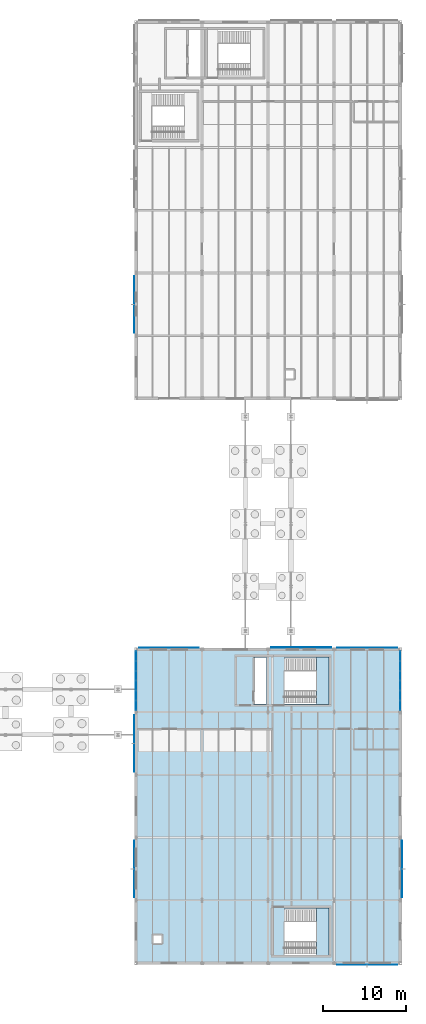
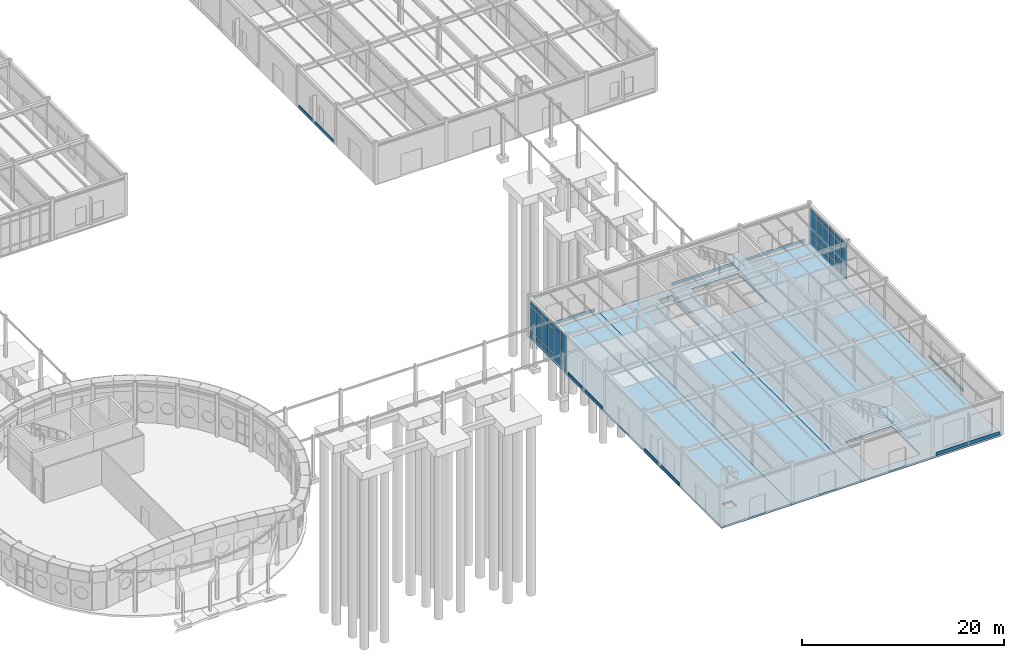
# One storey, part 79 of 109: 44 plates, 5 slabs, 4 elements without a shape of their own.
"""IFC4 building model written with IfcOpenShell, lengths in metres."""

from ifc_helpers import new_model, si_unit, direction, frame, origin, origin_2d, place, context, subcontext, project, spatial, polyline, rectangle, outline, extrude, material, layer, layer_set, type_object, element, aggregate, save


model = new_model("IFC4")

# Units and contexts
model_context = context("Model", 3, precision=1e-05, world=origin(), true_north=direction((0.0, 1.0)))
body_context = subcontext(model_context, "Body", "Model", "MODEL_VIEW")
ifc_project = project(units=[si_unit("LENGTHUNIT", "METRE"), si_unit("AREAUNIT", "SQUARE_METRE"), si_unit("VOLUMEUNIT", "CUBIC_METRE"), si_unit("PLANEANGLEUNIT", "RADIAN"), si_unit("MASSUNIT", "GRAM", prefix="KILO")], contexts=[model_context])

# Site, building, storey
site_placement = place(None, origin())
site = spatial("IfcSite", under=ifc_project, at=site_placement, CompositionType="ELEMENT")
building_placement = place(site_placement, origin())
building = spatial("IfcBuilding", under=site, at=building_placement, Name="Montecoro Central Library", CompositionType="ELEMENT")
storey_placement = place(building_placement, origin())
storey = spatial("IfcBuildingStorey", under=building, at=storey_placement, Name="L00", CompositionType="ELEMENT", Elevation=0.0)

# Curtain wall, plates
ifc_material_1 = material(Name="Bronze-anodised aluminium and low-E glazing", Category="aluminium")
ifc_layer_1 = layer(ifc_material_1, 0.159912109375)
ifc_layer_set_1 = layer_set([ifc_layer_1], Name="Bronze-anodised aluminium and low-E glazing")
curtain_wall_type_1 = type_object("IfcCurtainWallType", Name="CWT-058", PredefinedType="NOTDEFINED", material=ifc_layer_set_1)
curtain_wall_1_placement = place(storey_placement, origin())
curtain_wall_1 = element("IfcCurtainWall", 1, at=curtain_wall_1_placement, inside=storey, type_object=curtain_wall_type_1, Name="V6-L00-CW-E4", PredefinedType="NOTDEFINED")
ifc_material_2 = material(Name="Laminated low-E double glazing", Category="glass")
ifc_layer_2 = layer(ifc_material_2, 0.02587890625)
ifc_layer_set_2 = layer_set([ifc_layer_2], Name="Laminated low-E double glazing")
plate_type_1 = type_object("IfcPlateType", Name="CWP-GLZ-01", PredefinedType="CURTAIN_PANEL", material=ifc_layer_set_2)
plate_1_placement = place(storey_placement, frame((173.0, 36.19921875, 0.070068359375), z_axis=(0.0, 0.0, 1.0), x_axis=(0.0, 1.0, 0.0)))
plate_1 = element("IfcPlate", 2, at=plate_1_placement, type_object=plate_type_1, Name="CW-058 panel 1.1", PredefinedType="CURTAIN_PANEL", context=body_context, shape_type="SweptSolid", body=[
    extrude(rectangle(XDim=1.102294921875, YDim=0.02587890625, at=origin_2d()), origin(), (0.0, 0.0, 1.0), 0.794921875),
])
plate_2_placement = place(storey_placement, frame((173.0, 36.19921875, 0.93505859375), z_axis=(0.0, 0.0, 1.0), x_axis=(0.0, 1.0, 0.0)))
plate_2 = element("IfcPlate", 3, at=plate_2_placement, type_object=plate_type_1, Name="CW-058 panel 1.2", PredefinedType="CURTAIN_PANEL", context=body_context, shape_type="SweptSolid", body=[
    extrude(rectangle(XDim=1.102294921875, YDim=0.02587890625, at=origin_2d()), origin(), (0.0, 0.0, 1.0), 2.830078125),
])
plate_3_placement = place(storey_placement, frame((173.0, 36.19921875, 3.8349609375), z_axis=(0.0, 0.0, 1.0), x_axis=(0.0, 1.0, 0.0)))
plate_3 = element("IfcPlate", 4, at=plate_3_placement, type_object=plate_type_1, Name="CW-058 panel 1.3", PredefinedType="CURTAIN_PANEL", context=body_context, shape_type="SweptSolid", body=[
    extrude(rectangle(XDim=1.102294921875, YDim=0.02587890625, at=origin_2d()), origin(), (0.0, 0.0, 1.0), 0.594970703125),
])
plate_4_placement = place(storey_placement, frame((173.0, 37.388916015625, 0.070068359375), z_axis=(0.0, 0.0, 1.0), x_axis=(0.0, 1.0, 0.0)))
plate_4 = element("IfcPlate", 5, at=plate_4_placement, type_object=plate_type_1, Name="CW-058 panel 2.1", PredefinedType="CURTAIN_PANEL", context=body_context, shape_type="SweptSolid", body=[
    extrude(rectangle(XDim=1.137451171875, YDim=0.02587890625, at=origin_2d()), origin(), (0.0, 0.0, 1.0), 0.794921875),
])
plate_5_placement = place(storey_placement, frame((173.0, 37.388916015625, 0.93505859375), z_axis=(0.0, 0.0, 1.0), x_axis=(0.0, 1.0, 0.0)))
plate_5 = element("IfcPlate", 6, at=plate_5_placement, type_object=plate_type_1, Name="CW-058 panel 2.2", PredefinedType="CURTAIN_PANEL", context=body_context, shape_type="SweptSolid", body=[
    extrude(rectangle(XDim=1.137451171875, YDim=0.02587890625, at=origin_2d()), origin(), (0.0, 0.0, 1.0), 2.830078125),
])
plate_6_placement = place(storey_placement, frame((173.0, 37.388916015625, 3.8349609375), z_axis=(0.0, 0.0, 1.0), x_axis=(0.0, 1.0, 0.0)))
plate_6 = element("IfcPlate", 7, at=plate_6_placement, type_object=plate_type_1, Name="CW-058 panel 2.3", PredefinedType="CURTAIN_PANEL", context=body_context, shape_type="SweptSolid", body=[
    extrude(rectangle(XDim=1.137451171875, YDim=0.02587890625, at=origin_2d()), origin(), (0.0, 0.0, 1.0), 0.594970703125),
])
plate_7_placement = place(storey_placement, frame((173.0, 38.596435546875, 0.070068359375), z_axis=(0.0, 0.0, 1.0), x_axis=(0.0, 1.0, 0.0)))
plate_7 = element("IfcPlate", 8, at=plate_7_placement, type_object=plate_type_1, Name="CW-058 panel 3.1", PredefinedType="CURTAIN_PANEL", context=body_context, shape_type="SweptSolid", body=[
    extrude(rectangle(XDim=1.137451171875, YDim=0.02587890625, at=origin_2d()), origin(), (0.0, 0.0, 1.0), 0.794921875),
])
plate_8_placement = place(storey_placement, frame((173.0, 38.596435546875, 0.93505859375), z_axis=(0.0, 0.0, 1.0), x_axis=(0.0, 1.0, 0.0)))
plate_8 = element("IfcPlate", 9, at=plate_8_placement, type_object=plate_type_1, Name="CW-058 panel 3.2", PredefinedType="CURTAIN_PANEL", context=body_context, shape_type="SweptSolid", body=[
    extrude(rectangle(XDim=1.137451171875, YDim=0.02587890625, at=origin_2d()), origin(), (0.0, 0.0, 1.0), 2.830078125),
])
plate_9_placement = place(storey_placement, frame((173.0, 38.596435546875, 3.8349609375), z_axis=(0.0, 0.0, 1.0), x_axis=(0.0, 1.0, 0.0)))
plate_9 = element("IfcPlate", 10, at=plate_9_placement, type_object=plate_type_1, Name="CW-058 panel 3.3", PredefinedType="CURTAIN_PANEL", context=body_context, shape_type="SweptSolid", body=[
    extrude(rectangle(XDim=1.137451171875, YDim=0.02587890625, at=origin_2d()), origin(), (0.0, 0.0, 1.0), 0.594970703125),
])
plate_10_placement = place(storey_placement, frame((173.0, 39.8037109375, 0.070068359375), z_axis=(0.0, 0.0, 1.0), x_axis=(0.0, 1.0, 0.0)))
plate_10 = element("IfcPlate", 11, at=plate_10_placement, type_object=plate_type_1, Name="CW-058 panel 4.1", PredefinedType="CURTAIN_PANEL", context=body_context, shape_type="SweptSolid", body=[
    extrude(rectangle(XDim=1.137451171875, YDim=0.02587890625, at=origin_2d()), origin(), (0.0, 0.0, 1.0), 0.794921875),
])
plate_11_placement = place(storey_placement, frame((173.0, 39.8037109375, 0.93505859375), z_axis=(0.0, 0.0, 1.0), x_axis=(0.0, 1.0, 0.0)))
plate_11 = element("IfcPlate", 12, at=plate_11_placement, type_object=plate_type_1, Name="CW-058 panel 4.2", PredefinedType="CURTAIN_PANEL", context=body_context, shape_type="SweptSolid", body=[
    extrude(rectangle(XDim=1.137451171875, YDim=0.02587890625, at=origin_2d()), origin(), (0.0, 0.0, 1.0), 2.830078125),
])
plate_12_placement = place(storey_placement, frame((173.0, 39.8037109375, 3.8349609375), z_axis=(0.0, 0.0, 1.0), x_axis=(0.0, 1.0, 0.0)))
plate_12 = element("IfcPlate", 13, at=plate_12_placement, type_object=plate_type_1, Name="CW-058 panel 4.3", PredefinedType="CURTAIN_PANEL", context=body_context, shape_type="SweptSolid", body=[
    extrude(rectangle(XDim=1.137451171875, YDim=0.02587890625, at=origin_2d()), origin(), (0.0, 0.0, 1.0), 0.594970703125),
])
plate_13_placement = place(storey_placement, frame((173.0, 41.010986328125, 0.070068359375), z_axis=(0.0, 0.0, 1.0), x_axis=(0.0, 1.0, 0.0)))
plate_13 = element("IfcPlate", 14, at=plate_13_placement, type_object=plate_type_1, Name="CW-058 panel 5.1", PredefinedType="CURTAIN_PANEL", context=body_context, shape_type="SweptSolid", body=[
    extrude(rectangle(XDim=1.137451171875, YDim=0.02587890625, at=origin_2d()), origin(), (0.0, 0.0, 1.0), 0.794921875),
])
plate_14_placement = place(storey_placement, frame((173.0, 41.010986328125, 0.93505859375), z_axis=(0.0, 0.0, 1.0), x_axis=(0.0, 1.0, 0.0)))
plate_14 = element("IfcPlate", 15, at=plate_14_placement, type_object=plate_type_1, Name="CW-058 panel 5.2", PredefinedType="CURTAIN_PANEL", context=body_context, shape_type="SweptSolid", body=[
    extrude(rectangle(XDim=1.137451171875, YDim=0.02587890625, at=origin_2d()), origin(), (0.0, 0.0, 1.0), 2.830078125),
])
plate_15_placement = place(storey_placement, frame((173.0, 41.010986328125, 3.8349609375), z_axis=(0.0, 0.0, 1.0), x_axis=(0.0, 1.0, 0.0)))
plate_15 = element("IfcPlate", 16, at=plate_15_placement, type_object=plate_type_1, Name="CW-058 panel 5.3", PredefinedType="CURTAIN_PANEL", context=body_context, shape_type="SweptSolid", body=[
    extrude(rectangle(XDim=1.137451171875, YDim=0.02587890625, at=origin_2d()), origin(), (0.0, 0.0, 1.0), 0.594970703125),
])
plate_16_placement = place(storey_placement, frame((173.0, 42.200927734375, 0.070068359375), z_axis=(0.0, 0.0, 1.0), x_axis=(0.0, 1.0, 0.0)))
plate_16 = element("IfcPlate", 17, at=plate_16_placement, type_object=plate_type_1, Name="CW-058 panel 6.1", PredefinedType="CURTAIN_PANEL", context=body_context, shape_type="SweptSolid", body=[
    extrude(rectangle(XDim=1.102294921875, YDim=0.02587890625, at=origin_2d()), origin(), (0.0, 0.0, 1.0), 0.794921875),
])
plate_17_placement = place(storey_placement, frame((173.0, 42.200927734375, 0.93505859375), z_axis=(0.0, 0.0, 1.0), x_axis=(0.0, 1.0, 0.0)))
plate_17 = element("IfcPlate", 18, at=plate_17_placement, type_object=plate_type_1, Name="CW-058 panel 6.2", PredefinedType="CURTAIN_PANEL", context=body_context, shape_type="SweptSolid", body=[
    extrude(rectangle(XDim=1.102294921875, YDim=0.02587890625, at=origin_2d()), origin(), (0.0, 0.0, 1.0), 2.830078125),
])
plate_18_placement = place(storey_placement, frame((173.0, 42.200927734375, 3.8349609375), z_axis=(0.0, 0.0, 1.0), x_axis=(0.0, 1.0, 0.0)))
plate_18 = element("IfcPlate", 19, at=plate_18_placement, type_object=plate_type_1, Name="CW-058 panel 6.3", PredefinedType="CURTAIN_PANEL", context=body_context, shape_type="SweptSolid", body=[
    extrude(rectangle(XDim=1.102294921875, YDim=0.02587890625, at=origin_2d()), origin(), (0.0, 0.0, 1.0), 0.594970703125),
])
aggregate(curtain_wall_1, [plate_1, plate_2, plate_3, plate_4, plate_5, plate_6, plate_7, plate_8, plate_9, plate_10, plate_11, plate_12, plate_13, plate_14, plate_15, plate_16, plate_17, plate_18])

ifc_layer_3 = layer(ifc_material_1, 0.159912109375)
ifc_layer_set_3 = layer_set([ifc_layer_3], Name="Bronze-anodised aluminium and low-E glazing")
curtain_wall_type_2 = type_object("IfcCurtainWallType", Name="CWT-059", PredefinedType="NOTDEFINED", material=ifc_layer_set_3)
curtain_wall_2_placement = place(storey_placement, origin())
curtain_wall_2 = element("IfcCurtainWall", 20, at=curtain_wall_2_placement, inside=storey, type_object=curtain_wall_type_2, Name="V6-L00-CW-W4", PredefinedType="NOTDEFINED")
plate_19_placement = place(storey_placement, frame((141.0, 42.200927734375, 0.070068359375), z_axis=(0.0, 0.0, 1.0), x_axis=(0.0, -1.0, 0.0)))
plate_19 = element("IfcPlate", 21, at=plate_19_placement, type_object=plate_type_1, Name="CW-059 panel 1.1", PredefinedType="CURTAIN_PANEL", context=body_context, shape_type="SweptSolid", body=[
    extrude(rectangle(XDim=1.102294921875, YDim=0.02587890625, at=origin_2d()), origin(), (0.0, 0.0, 1.0), 0.794921875),
])
plate_20_placement = place(storey_placement, frame((141.0, 42.200927734375, 0.93505859375), z_axis=(0.0, 0.0, 1.0), x_axis=(0.0, -1.0, 0.0)))
plate_20 = element("IfcPlate", 22, at=plate_20_placement, type_object=plate_type_1, Name="CW-059 panel 1.2", PredefinedType="CURTAIN_PANEL", context=body_context, shape_type="SweptSolid", body=[
    extrude(rectangle(XDim=1.102294921875, YDim=0.02587890625, at=origin_2d()), origin(), (0.0, 0.0, 1.0), 2.830078125),
])
plate_21_placement = place(storey_placement, frame((141.0, 42.200927734375, 3.8349609375), z_axis=(0.0, 0.0, 1.0), x_axis=(0.0, -1.0, 0.0)))
plate_21 = element("IfcPlate", 23, at=plate_21_placement, type_object=plate_type_1, Name="CW-059 panel 1.3", PredefinedType="CURTAIN_PANEL", context=body_context, shape_type="SweptSolid", body=[
    extrude(rectangle(XDim=1.102294921875, YDim=0.02587890625, at=origin_2d()), origin(), (0.0, 0.0, 1.0), 0.594970703125),
])
plate_22_placement = place(storey_placement, frame((141.0, 41.010986328125, 0.070068359375), z_axis=(0.0, 0.0, 1.0), x_axis=(0.0, -1.0, 0.0)))
plate_22 = element("IfcPlate", 24, at=plate_22_placement, type_object=plate_type_1, Name="CW-059 panel 2.1", PredefinedType="CURTAIN_PANEL", context=body_context, shape_type="SweptSolid", body=[
    extrude(rectangle(XDim=1.137451171875, YDim=0.02587890625, at=origin_2d()), origin(), (0.0, 0.0, 1.0), 0.794921875),
])
plate_23_placement = place(storey_placement, frame((141.0, 41.010986328125, 0.93505859375), z_axis=(0.0, 0.0, 1.0), x_axis=(0.0, -1.0, 0.0)))
plate_23 = element("IfcPlate", 25, at=plate_23_placement, type_object=plate_type_1, Name="CW-059 panel 2.2", PredefinedType="CURTAIN_PANEL", context=body_context, shape_type="SweptSolid", body=[
    extrude(rectangle(XDim=1.137451171875, YDim=0.02587890625, at=origin_2d()), origin(), (0.0, 0.0, 1.0), 2.830078125),
])
plate_24_placement = place(storey_placement, frame((141.0, 41.010986328125, 3.8349609375), z_axis=(0.0, 0.0, 1.0), x_axis=(0.0, -1.0, 0.0)))
plate_24 = element("IfcPlate", 26, at=plate_24_placement, type_object=plate_type_1, Name="CW-059 panel 2.3", PredefinedType="CURTAIN_PANEL", context=body_context, shape_type="SweptSolid", body=[
    extrude(rectangle(XDim=1.137451171875, YDim=0.02587890625, at=origin_2d()), origin(), (0.0, 0.0, 1.0), 0.594970703125),
])
plate_25_placement = place(storey_placement, frame((141.0, 39.8037109375, 0.070068359375), z_axis=(0.0, 0.0, 1.0), x_axis=(0.0, -1.0, 0.0)))
plate_25 = element("IfcPlate", 27, at=plate_25_placement, type_object=plate_type_1, Name="CW-059 panel 3.1", PredefinedType="CURTAIN_PANEL", context=body_context, shape_type="SweptSolid", body=[
    extrude(rectangle(XDim=1.137451171875, YDim=0.02587890625, at=origin_2d()), origin(), (0.0, 0.0, 1.0), 0.794921875),
])
plate_26_placement = place(storey_placement, frame((141.0, 39.8037109375, 0.93505859375), z_axis=(0.0, 0.0, 1.0), x_axis=(0.0, -1.0, 0.0)))
plate_26 = element("IfcPlate", 28, at=plate_26_placement, type_object=plate_type_1, Name="CW-059 panel 3.2", PredefinedType="CURTAIN_PANEL", context=body_context, shape_type="SweptSolid", body=[
    extrude(rectangle(XDim=1.137451171875, YDim=0.02587890625, at=origin_2d()), origin(), (0.0, 0.0, 1.0), 2.830078125),
])
plate_27_placement = place(storey_placement, frame((141.0, 39.8037109375, 3.8349609375), z_axis=(0.0, 0.0, 1.0), x_axis=(0.0, -1.0, 0.0)))
plate_27 = element("IfcPlate", 29, at=plate_27_placement, type_object=plate_type_1, Name="CW-059 panel 3.3", PredefinedType="CURTAIN_PANEL", context=body_context, shape_type="SweptSolid", body=[
    extrude(rectangle(XDim=1.137451171875, YDim=0.02587890625, at=origin_2d()), origin(), (0.0, 0.0, 1.0), 0.594970703125),
])
plate_28_placement = place(storey_placement, frame((141.0, 38.596435546875, 0.070068359375), z_axis=(0.0, 0.0, 1.0), x_axis=(0.0, -1.0, 0.0)))
plate_28 = element("IfcPlate", 30, at=plate_28_placement, type_object=plate_type_1, Name="CW-059 panel 4.1", PredefinedType="CURTAIN_PANEL", context=body_context, shape_type="SweptSolid", body=[
    extrude(rectangle(XDim=1.137451171875, YDim=0.02587890625, at=origin_2d()), origin(), (0.0, 0.0, 1.0), 0.794921875),
])
plate_29_placement = place(storey_placement, frame((141.0, 38.596435546875, 0.93505859375), z_axis=(0.0, 0.0, 1.0), x_axis=(0.0, -1.0, 0.0)))
plate_29 = element("IfcPlate", 31, at=plate_29_placement, type_object=plate_type_1, Name="CW-059 panel 4.2", PredefinedType="CURTAIN_PANEL", context=body_context, shape_type="SweptSolid", body=[
    extrude(rectangle(XDim=1.137451171875, YDim=0.02587890625, at=origin_2d()), origin(), (0.0, 0.0, 1.0), 2.830078125),
])
plate_30_placement = place(storey_placement, frame((141.0, 38.596435546875, 3.8349609375), z_axis=(0.0, 0.0, 1.0), x_axis=(0.0, -1.0, 0.0)))
plate_30 = element("IfcPlate", 32, at=plate_30_placement, type_object=plate_type_1, Name="CW-059 panel 4.3", PredefinedType="CURTAIN_PANEL", context=body_context, shape_type="SweptSolid", body=[
    extrude(rectangle(XDim=1.137451171875, YDim=0.02587890625, at=origin_2d()), origin(), (0.0, 0.0, 1.0), 0.594970703125),
])
plate_31_placement = place(storey_placement, frame((141.0, 37.388916015625, 0.070068359375), z_axis=(0.0, 0.0, 1.0), x_axis=(0.0, -1.0, 0.0)))
plate_31 = element("IfcPlate", 33, at=plate_31_placement, type_object=plate_type_1, Name="CW-059 panel 5.1", PredefinedType="CURTAIN_PANEL", context=body_context, shape_type="SweptSolid", body=[
    extrude(rectangle(XDim=1.137451171875, YDim=0.02587890625, at=origin_2d()), origin(), (0.0, 0.0, 1.0), 0.794921875),
])
plate_32_placement = place(storey_placement, frame((141.0, 37.388916015625, 0.93505859375), z_axis=(0.0, 0.0, 1.0), x_axis=(0.0, -1.0, 0.0)))
plate_32 = element("IfcPlate", 34, at=plate_32_placement, type_object=plate_type_1, Name="CW-059 panel 5.2", PredefinedType="CURTAIN_PANEL", context=body_context, shape_type="SweptSolid", body=[
    extrude(rectangle(XDim=1.137451171875, YDim=0.02587890625, at=origin_2d()), origin(), (0.0, 0.0, 1.0), 2.830078125),
])
plate_33_placement = place(storey_placement, frame((141.0, 37.388916015625, 3.8349609375), z_axis=(0.0, 0.0, 1.0), x_axis=(0.0, -1.0, 0.0)))
plate_33 = element("IfcPlate", 35, at=plate_33_placement, type_object=plate_type_1, Name="CW-059 panel 5.3", PredefinedType="CURTAIN_PANEL", context=body_context, shape_type="SweptSolid", body=[
    extrude(rectangle(XDim=1.137451171875, YDim=0.02587890625, at=origin_2d()), origin(), (0.0, 0.0, 1.0), 0.594970703125),
])
plate_34_placement = place(storey_placement, frame((141.0, 36.19921875, 0.070068359375), z_axis=(0.0, 0.0, 1.0), x_axis=(0.0, -1.0, 0.0)))
plate_34 = element("IfcPlate", 36, at=plate_34_placement, type_object=plate_type_1, Name="CW-059 panel 6.1", PredefinedType="CURTAIN_PANEL", context=body_context, shape_type="SweptSolid", body=[
    extrude(rectangle(XDim=1.102294921875, YDim=0.02587890625, at=origin_2d()), origin(), (0.0, 0.0, 1.0), 0.794921875),
])
plate_35_placement = place(storey_placement, frame((141.0, 36.19921875, 0.93505859375), z_axis=(0.0, 0.0, 1.0), x_axis=(0.0, -1.0, 0.0)))
plate_35 = element("IfcPlate", 37, at=plate_35_placement, type_object=plate_type_1, Name="CW-059 panel 6.2", PredefinedType="CURTAIN_PANEL", context=body_context, shape_type="SweptSolid", body=[
    extrude(rectangle(XDim=1.102294921875, YDim=0.02587890625, at=origin_2d()), origin(), (0.0, 0.0, 1.0), 2.830078125),
])
plate_36_placement = place(storey_placement, frame((141.0, 36.19921875, 3.8349609375), z_axis=(0.0, 0.0, 1.0), x_axis=(0.0, -1.0, 0.0)))
plate_36 = element("IfcPlate", 38, at=plate_36_placement, type_object=plate_type_1, Name="CW-059 panel 6.3", PredefinedType="CURTAIN_PANEL", context=body_context, shape_type="SweptSolid", body=[
    extrude(rectangle(XDim=1.102294921875, YDim=0.02587890625, at=origin_2d()), origin(), (0.0, 0.0, 1.0), 0.594970703125),
])
aggregate(curtain_wall_2, [plate_19, plate_20, plate_21, plate_22, plate_23, plate_24, plate_25, plate_26, plate_27, plate_28, plate_29, plate_30, plate_31, plate_32, plate_33, plate_34, plate_35, plate_36])

# Plates
ifc_material_3 = material(Name="Architectural bronze spandrel plate", Category="aluminium")
ifc_layer_4 = layer(ifc_material_3, 0.02197265625)
ifc_layer_set_4 = layer_set([ifc_layer_4], Name="Architectural bronze spandrel plate")
plate_type_2 = type_object("IfcPlateType", Name="PLT-SPN-01", PredefinedType="SHEET", material=ifc_layer_set_4)
for number, where, z_axis, x_axis, name in (
    (39, (169.0, 4.79638671875, 0.16015625), (0.0, 0.0, 1.0), (1.0, 0.0, 0.0), "V6-L00-SPN-S3"),
    (40, (169.0, 43.20361328125, 0.16015625), (0.0, 0.0, 1.0), (-1.0, 0.0, 0.0), "V6-L00-SPN-N3"),
):
    element("IfcPlate", number, at=place(storey_placement, frame(where, z_axis=z_axis, x_axis=x_axis)), inside=storey, type_object=plate_type_2, Name=name, PredefinedType="SHEET", context=body_context, shape_type="SweptSolid", body=[
        extrude(rectangle(XDim=7.243896484375, YDim=0.02197265625, at=origin_2d()), origin(), (0.0, 0.0, 1.0), 0.39990234375),
    ])
plate_37_placement = place(storey_placement, frame((140.79638671875, 31.60009765625, 0.16015625), z_axis=(0.0, 0.0, 1.0), x_axis=(0.0, -1.0, 0.0)))
element("IfcPlate", 41, at=plate_37_placement, inside=storey, type_object=plate_type_2, Name="V6-L00-SPN-W3", PredefinedType="SHEET", context=body_context, shape_type="SweptSolid", body=[
    extrude(rectangle(XDim=6.843994140625, YDim=0.02197265625, at=origin_2d()), origin(), (0.0, 0.0, 1.0), 0.39990234375),
])
ifc_layer_5 = layer(ifc_material_3, 0.028076171875)
ifc_layer_set_5 = layer_set([ifc_layer_5], Name="Architectural bronze spandrel plate")
plate_type_3 = type_object("IfcPlateType", Name="PLT-SPN-02", PredefinedType="SHEET", material=ifc_layer_set_5)
plate_38_placement = place(storey_placement, frame((145.0, 43.20654296875, 0.16015625), z_axis=(0.0, 0.0, 1.0), x_axis=(-1.0, 0.0, 0.0)))
element("IfcPlate", 42, at=plate_38_placement, inside=storey, type_object=plate_type_3, Name="V6-L00-SPN-N0", PredefinedType="SHEET", context=body_context, shape_type="SweptSolid", body=[
    extrude(rectangle(XDim=7.243896484375, YDim=0.028076171875, at=origin_2d()), origin(), (0.0, 0.0, 1.0), 0.39990234375),
])
ifc_layer_6 = layer(ifc_material_3, 0.035888671875)
ifc_layer_set_6 = layer_set([ifc_layer_6], Name="Architectural bronze spandrel plate")
plate_type_4 = type_object("IfcPlateType", Name="PLT-SPN-03", PredefinedType="SHEET", material=ifc_layer_set_6)
for number, where, z_axis, x_axis, name in (
    (43, (140.78955078125, 84.800048828125, 0.16015625), (0.0, 0.0, 1.0), (0.0, -1.0, 0.0), "V5-L00-SPN-W1"),
    (44, (173.21044921875, 16.39990234375, 0.16015625), (0.0, 0.0, 1.0), (0.0, 1.0, 0.0), "V6-L00-SPN-E1"),
    (45, (140.78955078125, 16.39990234375, 0.16015625), (0.0, 0.0, 1.0), (0.0, -1.0, 0.0), "V6-L00-SPN-W1"),
):
    element("IfcPlate", number, at=place(storey_placement, frame(where, z_axis=z_axis, x_axis=x_axis)), inside=storey, type_object=plate_type_4, Name=name, PredefinedType="SHEET", context=body_context, shape_type="SweptSolid", body=[
        extrude(rectangle(XDim=6.843994140625, YDim=0.035888671875, at=origin_2d()), origin(), (0.0, 0.0, 1.0), 0.39990234375),
    ])
ifc_layer_7 = layer(ifc_material_3, 0.0439453125)
ifc_layer_set_7 = layer_set([ifc_layer_7], Name="Architectural bronze spandrel plate")
plate_type_5 = type_object("IfcPlateType", Name="PLT-SPN-04", PredefinedType="SHEET", material=ifc_layer_set_7)
plate_39_placement = place(storey_placement, frame((161.0, 43.214599609375, 0.16015625), z_axis=(0.0, 0.0, 1.0), x_axis=(-1.0, 0.0, 0.0)))
element("IfcPlate", 46, at=plate_39_placement, inside=storey, type_object=plate_type_5, Name="V6-L00-SPN-N2", PredefinedType="SHEET", context=body_context, shape_type="SweptSolid", body=[
    extrude(rectangle(XDim=7.243896484375, YDim=0.0439453125, at=origin_2d()), origin(), (0.0, 0.0, 1.0), 0.39990234375),
])

# Slabs
ifc_material_4 = material(Name="Concrete C32/40", Category="concrete")
ifc_layer_8 = layer(ifc_material_4, 0.22509765625)
ifc_layer_set_8 = layer_set([ifc_layer_8], Name="Concrete C32/40")
slab_type_1 = type_object("IfcSlabType", Name="SL-FLR-225", PredefinedType="FLOOR", material=ifc_layer_set_8)
slab_1_placement = place(storey_placement, frame((0.0, 0.0, -0.22509765625)))
element("IfcSlab", 47, at=slab_1_placement, inside=storey, type_object=slab_type_1, Name="V6-L00-SL1", PredefinedType="FLOOR", context=body_context, shape_type="SweptSolid", body=[
    extrude(outline(polyline([(141.0, 5.0), (149.0, 5.0), (149.0, 43.0), (141.0, 43.0), (141.0, 5.0)]), holes=[polyline([(143.10009765625, 8.39990234375), (144.10009765625, 8.39990234375), (144.10009765625, 7.39990234375), (143.10009765625, 7.39990234375), (143.10009765625, 8.39990234375)])]), origin(), (0.0, 0.0, 1.0), 0.22509765625),
])
slab_2_placement = place(storey_placement, frame((0.0, 0.0, -0.22509765625)))
element("IfcSlab", 48, at=slab_2_placement, inside=storey, type_object=slab_type_1, Name="V6-L00-SL2", PredefinedType="FLOOR", context=body_context, shape_type="SweptSolid", body=[
    extrude(outline(polyline([(149.0, 5.0), (157.0, 5.0), (157.0, 43.0), (149.0, 43.0), (149.0, 5.0)]), holes=[polyline([(155.25, 42.0), (156.780029296875, 42.0), (156.780029296875, 36.39990234375), (155.25, 36.39990234375), (155.25, 42.0)])]), origin(), (0.0, 0.0, 1.0), 0.22509765625),
])
slab_3_placement = place(storey_placement, frame((0.0, 0.0, -0.22509765625)))
element("IfcSlab", 49, at=slab_3_placement, inside=storey, type_object=slab_type_1, Name="V6-L00-SL3", PredefinedType="FLOOR", context=body_context, shape_type="SweptSolid", body=[
    extrude(outline(polyline([(157.0, 5.0), (173.0, 5.0), (173.0, 43.0), (157.0, 43.0), (157.0, 5.0)]), holes=[polyline([(158.9599609375, 42.0), (164.300048828125, 42.0), (164.300048828125, 36.39990234375), (158.9599609375, 36.39990234375), (158.9599609375, 42.0)]), polyline([(158.9599609375, 11.60009765625), (164.300048828125, 11.60009765625), (164.300048828125, 6.0), (158.9599609375, 6.0), (158.9599609375, 11.60009765625)])]), origin(), (0.0, 0.0, 1.0), 0.22509765625),
])

# Stair, slab
ifc_material_5 = material(Name="Concrete C35/45", Category="concrete")
stair_type = type_object("IfcStairType", Name="STR-RET-150", PredefinedType="HALF_TURN_STAIR", material=ifc_material_5)
stair_1_placement = place(storey_placement, origin())
stair_1 = element("IfcStair", 50, at=stair_1_placement, inside=storey, type_object=stair_type, Name="C7-L00-STR", PredefinedType="HALF_TURN_STAIR")
ifc_layer_9 = layer(ifc_material_5, 0.199951171875)
ifc_layer_set_9 = layer_set([ifc_layer_9], Name="Concrete C35/45")
slab_type_2 = type_object("IfcSlabType", Name="SL-LND-200", PredefinedType="LANDING", material=ifc_layer_set_9)
slab_4_placement = place(storey_placement, frame((0.0, 0.0, 2.35009765625)))
slab_4 = element("IfcSlab", 51, at=slab_4_placement, type_object=slab_type_2, Name="ST-07 landing 1", PredefinedType="LANDING", context=body_context, shape_type="SweptSolid", body=[
    extrude(outline(polyline([(162.840087890625, 36.320068359375), (164.3798828125, 36.320068359375), (164.3798828125, 42.080078125), (162.840087890625, 42.080078125), (162.840087890625, 36.320068359375)])), origin(), (0.0, 0.0, 1.0), 0.199951171875),
])
aggregate(stair_1, [slab_4])

stair_2_placement = place(storey_placement, origin())
stair_2 = element("IfcStair", 52, at=stair_2_placement, inside=storey, type_object=stair_type, Name="C10-L00-STR", PredefinedType="HALF_TURN_STAIR")
slab_5_placement = place(storey_placement, frame((0.0, 0.0, 2.35009765625)))
slab_5 = element("IfcSlab", 53, at=slab_5_placement, type_object=slab_type_2, Name="ST-10 landing 1", PredefinedType="LANDING", context=body_context, shape_type="SweptSolid", body=[
    extrude(outline(polyline([(162.840087890625, 5.919921875), (164.3798828125, 5.919921875), (164.3798828125, 11.679931640625), (162.840087890625, 11.679931640625), (162.840087890625, 5.919921875)])), origin(), (0.0, 0.0, 1.0), 0.199951171875),
])
aggregate(stair_2, [slab_5])

save(model, "model.ifc")
